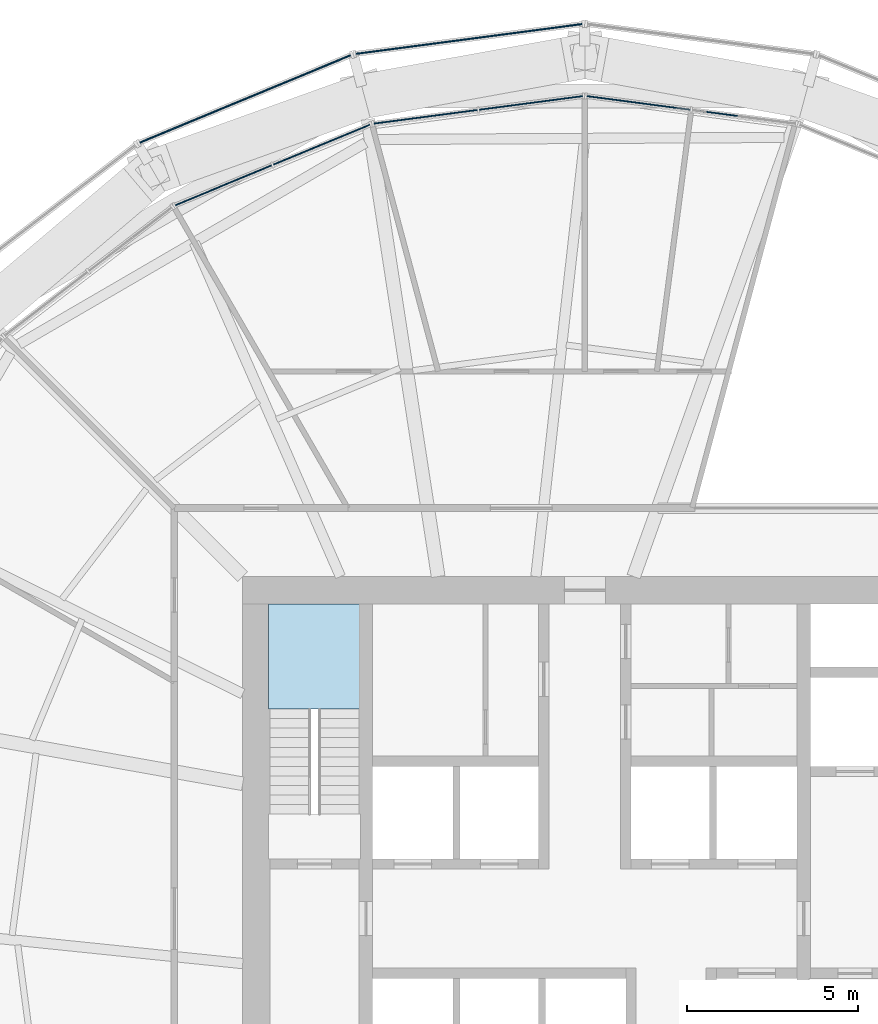
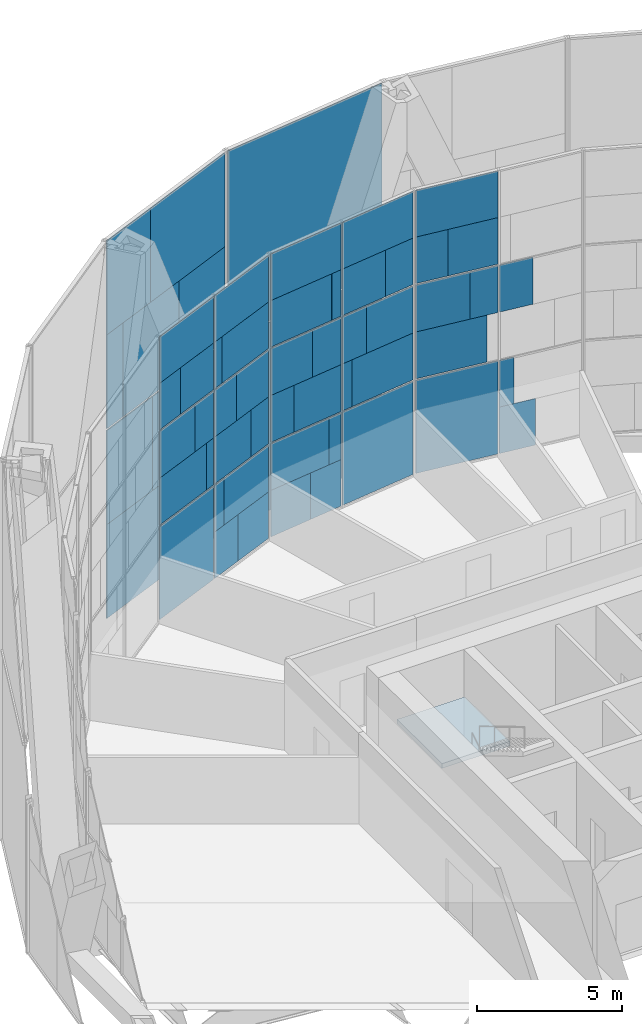
# One storey, part 20 of 26: 60 plates, 1 slab, 6 elements without a shape of their own.
"""IFC4 building model written with IfcOpenShell, lengths in metres."""

from ifc_helpers import new_model, si_unit, direction, frame, origin, origin_2d, place, context, subcontext, project, spatial, polyline, rectangle, outline, extrude, material, layer, layer_set, type_object, element, aggregate, save


model = new_model("IFC4")

# Units and contexts
model_context = context("Model", 3, precision=1e-05, world=origin(), true_north=direction((0.0, 1.0)))
body_context = subcontext(model_context, "Body", "Model", "MODEL_VIEW")
ifc_project = project(units=[si_unit("LENGTHUNIT", "METRE"), si_unit("AREAUNIT", "SQUARE_METRE"), si_unit("VOLUMEUNIT", "CUBIC_METRE"), si_unit("PLANEANGLEUNIT", "RADIAN"), si_unit("MASSUNIT", "GRAM", prefix="KILO")], contexts=[model_context])

# Site, building, storey
site_placement = place(None, origin())
site = spatial("IfcSite", under=ifc_project, at=site_placement, CompositionType="ELEMENT")
building_placement = place(site_placement, origin())
building = spatial("IfcBuilding", under=site, at=building_placement, Name="Golbaran Civic Tower", CompositionType="ELEMENT")
storey_placement = place(building_placement, frame((0.0, 0.0, 69.0)))
storey = spatial("IfcBuildingStorey", under=building, at=storey_placement, Name="L16", CompositionType="ELEMENT", Elevation=69.0)

# Curtain wall, plates
ifc_material_1 = material(Name="Aluminium and glass", Category="aluminium")
curtain_wall_type_1 = type_object("IfcCurtainWallType", Name="INNER SKIN CURTAIN WALL", PredefinedType="NOTDEFINED", material=ifc_material_1)
curtain_wall_1_placement = place(storey_placement, origin())
curtain_wall_1 = element("IfcCurtainWall", 1, at=curtain_wall_1_placement, inside=storey, type_object=curtain_wall_type_1, Name="Inner skin L16 facet 6 CW1", ObjectType="INNER SKIN", PredefinedType="USERDEFINED")
ifc_material_2 = material(Name="Clear insulating glass", Category="glass")
ifc_layer_1 = layer(ifc_material_2, 0.031982421875, Name="Clear insulating glass")
ifc_layer_set_1 = layer_set([ifc_layer_1], Name="Clear insulating glass")
plate_type_1 = type_object("IfcPlateType", Name="INNER SKIN CURTAIN WALL GLAZED PANEL", PredefinedType="CURTAIN_PANEL", material=ifc_layer_set_1)
plate_1_placement = place(storey_placement, frame((3.8037109375, 23.55224609375, 0.06494140625), z_axis=(0.0, 0.0, 1.0), x_axis=(-0.991444861381, 0.130526192168, 0.0)))
plate_1 = element("IfcPlate", 2, at=plate_1_placement, type_object=plate_type_1, Name="CW1 panel 1.1 part 2", PredefinedType="CURTAIN_PANEL", context=body_context, shape_type="SweptSolid", body=[
    extrude(rectangle(XDim=1.3291015625, YDim=0.031982421875, at=origin_2d()), origin(), (0.0, 0.0, 1.0), 1.951171875),
])
plate_2_placement = place(storey_placement, frame((3.408203125, 23.604248046875, 2.016357421875), z_axis=(0.0, 0.0, 1.0), x_axis=(-0.991444861381, 0.130526192168, 0.0)))
plate_2 = element("IfcPlate", 3, at=plate_2_placement, type_object=plate_type_1, Name="CW1 panel 1.1 part 4", PredefinedType="CURTAIN_PANEL", context=body_context, shape_type="SweptSolid", body=[
    extrude(rectangle(XDim=0.531005859375, YDim=0.031982421875, at=origin_2d()), origin(), (0.0, 0.0, 1.0), 1.951171875),
])
plate_3_placement = place(storey_placement, frame((1.572509765625, 23.845947265625, 0.06494140625), z_axis=(0.0, 0.0, 1.0), x_axis=(-0.991444861381, 0.130526192168, 0.0)))
plate_3 = element("IfcPlate", 4, at=plate_3_placement, type_object=plate_type_1, Name="CW1 panel 2.1", PredefinedType="CURTAIN_PANEL", context=body_context, shape_type="SweptSolid", body=[
    extrude(rectangle(XDim=3.0419921875, YDim=0.031982421875, at=origin_2d()), origin(), (0.0, 0.0, 1.0), 3.902587890625),
])
plate_4_placement = place(storey_placement, frame((1.373779296875, 23.8720703125, 4.03271484375), z_axis=(0.0, 0.0, 1.0), x_axis=(-0.991444861381, 0.130526192168, 0.0)))
plate_4 = element("IfcPlate", 5, at=plate_4_placement, type_object=plate_type_1, Name="CW1 panel 2.2 part 2", PredefinedType="CURTAIN_PANEL", context=body_context, shape_type="SweptSolid", body=[
    extrude(rectangle(XDim=2.64111328125, YDim=0.031982421875, at=origin_2d()), origin(), (0.0, 0.0, 1.0), 1.967529296875),
])
plate_5_placement = place(storey_placement, frame((1.057373046875, 23.913818359375, 6.0), z_axis=(0.0, 0.0, 1.0), x_axis=(-0.991444861381, 0.130526192168, 0.0)))
plate_5 = element("IfcPlate", 6, at=plate_5_placement, type_object=plate_type_1, Name="CW1 panel 2.2 part 4", PredefinedType="CURTAIN_PANEL", context=body_context, shape_type="SweptSolid", body=[
    extrude(rectangle(XDim=2.0029296875, YDim=0.031982421875, at=origin_2d()), origin(), (0.0, 0.0, 1.0), 1.967529296875),
])
plate_6_placement = place(storey_placement, frame((0.64892578125, 23.967529296875, 8.032470703125), z_axis=(0.0, 0.0, 1.0), x_axis=(-0.991444861381, 0.130526192168, 0.0)))
plate_6 = element("IfcPlate", 7, at=plate_6_placement, type_object=plate_type_1, Name="CW1 panel 2.3 part 2", PredefinedType="CURTAIN_PANEL", context=body_context, shape_type="SweptSolid", body=[
    extrude(rectangle(XDim=1.178955078125, YDim=0.031982421875, at=origin_2d()), origin(), (0.0, 0.0, 1.0), 1.951171875),
])

curtain_wall_2_placement = place(storey_placement, origin())
curtain_wall_2 = element("IfcCurtainWall", 8, at=curtain_wall_2_placement, inside=storey, type_object=curtain_wall_type_1, Name="Inner skin L16 facet 7 CW1", ObjectType="INNER SKIN", PredefinedType="USERDEFINED")
plate_7_placement = place(storey_placement, frame((-1.572509765625, 23.845947265625, 0.06494140625), z_axis=(0.0, 0.0, 1.0), x_axis=(-0.991444861381, -0.130526192168, 0.0)))
plate_7 = element("IfcPlate", 9, at=plate_7_placement, type_object=plate_type_1, Name="CW1 panel 1.1", PredefinedType="CURTAIN_PANEL", context=body_context, shape_type="SweptSolid", body=[
    extrude(rectangle(XDim=3.0419921875, YDim=0.031982421875, at=origin_2d()), origin(), (0.0, 0.0, 1.0), 3.902587890625),
])
plate_8_placement = place(storey_placement, frame((-1.37353515625, 23.8720703125, 4.03271484375), z_axis=(0.0, 0.0, 1.0), x_axis=(-0.991444861381, -0.130526192168, 0.0)))
plate_8 = element("IfcPlate", 10, at=plate_8_placement, type_object=plate_type_1, Name="CW1 panel 1.2 part 1", PredefinedType="CURTAIN_PANEL", context=body_context, shape_type="SweptSolid", body=[
    extrude(rectangle(XDim=2.64111328125, YDim=0.031982421875, at=origin_2d()), origin(), (0.0, 0.0, 1.0), 1.967529296875),
])
plate_9_placement = place(storey_placement, frame((-1.057373046875, 23.913818359375, 6.0), z_axis=(0.0, 0.0, 1.0), x_axis=(-0.991444861381, -0.130526192168, 0.0)))
plate_9 = element("IfcPlate", 11, at=plate_9_placement, type_object=plate_type_1, Name="CW1 panel 1.2 part 3", PredefinedType="CURTAIN_PANEL", context=body_context, shape_type="SweptSolid", body=[
    extrude(rectangle(XDim=2.0029296875, YDim=0.031982421875, at=origin_2d()), origin(), (0.0, 0.0, 1.0), 1.967529296875),
])
plate_10_placement = place(storey_placement, frame((-0.64892578125, 23.967529296875, 8.032470703125), z_axis=(0.0, 0.0, 1.0), x_axis=(-0.991444861381, -0.130526192168, 0.0)))
plate_10 = element("IfcPlate", 12, at=plate_10_placement, type_object=plate_type_1, Name="CW1 panel 1.3 part 1", PredefinedType="CURTAIN_PANEL", context=body_context, shape_type="SweptSolid", body=[
    extrude(rectangle(XDim=1.178955078125, YDim=0.031982421875, at=origin_2d()), origin(), (0.0, 0.0, 1.0), 1.951171875),
])
plate_11_placement = place(storey_placement, frame((-3.8037109375, 23.55224609375, 0.06494140625), z_axis=(0.0, 0.0, 1.0), x_axis=(-0.991444861381, -0.130526192168, 0.0)))
plate_11 = element("IfcPlate", 13, at=plate_11_placement, type_object=plate_type_1, Name="CW1 panel 2.1 part 1", PredefinedType="CURTAIN_PANEL", context=body_context, shape_type="SweptSolid", body=[
    extrude(rectangle(XDim=1.3291015625, YDim=0.031982421875, at=origin_2d()), origin(), (0.0, 0.0, 1.0), 1.951171875),
])
plate_12_placement = place(storey_placement, frame((-3.408203125, 23.604248046875, 2.016357421875), z_axis=(0.0, 0.0, 1.0), x_axis=(-0.991444861381, -0.130526192168, 0.0)))
plate_12 = element("IfcPlate", 14, at=plate_12_placement, type_object=plate_type_1, Name="CW1 panel 2.1 part 3", PredefinedType="CURTAIN_PANEL", context=body_context, shape_type="SweptSolid", body=[
    extrude(rectangle(XDim=0.531005859375, YDim=0.031982421875, at=origin_2d()), origin(), (0.0, 0.0, 1.0), 1.951171875),
])
plate_13_placement = place(storey_placement, frame((-5.669189453125, 23.306640625, 4.03271484375), z_axis=(0.0, 0.0, 1.0), x_axis=(-0.991444861381, -0.130526192168, 0.0)))
plate_13 = element("IfcPlate", 15, at=plate_13_placement, type_object=plate_type_1, Name="CW1 panel 2.2 part 2", PredefinedType="CURTAIN_PANEL", context=body_context, shape_type="SweptSolid", body=[
    extrude(rectangle(XDim=0.991943359375, YDim=0.031982421875, at=origin_2d()), origin(), (0.0, 0.0, 1.0), 1.967529296875),
])
plate_14_placement = place(storey_placement, frame((-5.26953125, 23.359130859375, 6.0), z_axis=(0.0, 0.0, 1.0), x_axis=(-0.991444861381, -0.130526192168, 0.0)))
plate_14 = element("IfcPlate", 16, at=plate_14_placement, type_object=plate_type_1, Name="CW1 panel 2.2 part 4", PredefinedType="CURTAIN_PANEL", context=body_context, shape_type="SweptSolid", body=[
    extrude(rectangle(XDim=1.798095703125, YDim=0.031982421875, at=origin_2d()), origin(), (0.0, 0.0, 1.0), 1.967529296875),
])
plate_15_placement = place(storey_placement, frame((-4.856689453125, 23.41357421875, 8.032470703125), z_axis=(0.0, 0.0, 1.0), x_axis=(-0.991444861381, -0.130526192168, 0.0)))
plate_15 = element("IfcPlate", 17, at=plate_15_placement, type_object=plate_type_1, Name="CW1 panel 2.3 part 2", PredefinedType="CURTAIN_PANEL", context=body_context, shape_type="SweptSolid", body=[
    extrude(rectangle(XDim=2.631103515625, YDim=0.031982421875, at=origin_2d()), origin(), (0.0, 0.0, 1.0), 1.951171875),
])
plate_16_placement = place(storey_placement, frame((-4.65283203125, 23.4404296875, 9.98388671875), z_axis=(0.0, 0.0, 1.0), x_axis=(-0.991444861381, -0.130526192168, 0.0)))
plate_16 = element("IfcPlate", 18, at=plate_16_placement, type_object=plate_type_1, Name="CW1 panel 2.3 part 3", PredefinedType="CURTAIN_PANEL", context=body_context, shape_type="SweptSolid", body=[
    extrude(rectangle(XDim=3.0419921875, YDim=0.031982421875, at=origin_2d()), origin(), (0.0, 0.0, 1.0), 1.951171875),
])

curtain_wall_3_placement = place(storey_placement, origin())
curtain_wall_3 = element("IfcCurtainWall", 19, at=curtain_wall_3_placement, inside=storey, type_object=curtain_wall_type_1, Name="Inner skin L16 facet 8 CW1", ObjectType="INNER SKIN", PredefinedType="USERDEFINED")
plate_17_placement = place(storey_placement, frame((-8.48193359375, 22.298583984375, 0.06494140625), z_axis=(0.0, 0.0, 1.0), x_axis=(-0.923879532478, -0.382683432446, 0.0)))
plate_17 = element("IfcPlate", 20, at=plate_17_placement, type_object=plate_type_1, Name="CW1 panel 1.1 part 2", PredefinedType="CURTAIN_PANEL", context=body_context, shape_type="SweptSolid", body=[
    extrude(rectangle(XDim=1.3291015625, YDim=0.031982421875, at=origin_2d()), origin(), (0.0, 0.0, 1.0), 1.951171875),
])
plate_18_placement = place(storey_placement, frame((-8.8505859375, 22.14599609375, 2.016357421875), z_axis=(0.0, 0.0, 1.0), x_axis=(-0.923879532478, -0.382683432446, 0.0)))
plate_18 = element("IfcPlate", 21, at=plate_18_placement, type_object=plate_type_1, Name="CW1 panel 1.1 part 4", PredefinedType="CURTAIN_PANEL", context=body_context, shape_type="SweptSolid", body=[
    extrude(rectangle(XDim=0.531005859375, YDim=0.031982421875, at=origin_2d()), origin(), (0.0, 0.0, 1.0), 1.951171875),
])
plate_19_placement = place(storey_placement, frame((-6.74365234375, 23.018798828125, 4.03271484375), z_axis=(0.0, 0.0, 1.0), x_axis=(-0.923879532478, -0.382683432446, 0.0)))
plate_19 = element("IfcPlate", 22, at=plate_19_placement, type_object=plate_type_1, Name="CW1 panel 1.2 part 1", PredefinedType="CURTAIN_PANEL", context=body_context, shape_type="SweptSolid", body=[
    extrude(rectangle(XDim=0.991943359375, YDim=0.031982421875, at=origin_2d()), origin(), (0.0, 0.0, 1.0), 1.967529296875),
])
plate_20_placement = place(storey_placement, frame((-7.116455078125, 22.8642578125, 6.0), z_axis=(0.0, 0.0, 1.0), x_axis=(-0.923879532478, -0.382683432446, 0.0)))
plate_20 = element("IfcPlate", 23, at=plate_20_placement, type_object=plate_type_1, Name="CW1 panel 1.2 part 3", PredefinedType="CURTAIN_PANEL", context=body_context, shape_type="SweptSolid", body=[
    extrude(rectangle(XDim=1.799072265625, YDim=0.031982421875, at=origin_2d()), origin(), (0.0, 0.0, 1.0), 1.967529296875),
])
plate_21_placement = place(storey_placement, frame((-7.500732421875, 22.705078125, 8.032470703125), z_axis=(0.0, 0.0, 1.0), x_axis=(-0.923879532478, -0.382683432446, 0.0)))
plate_21 = element("IfcPlate", 24, at=plate_21_placement, type_object=plate_type_1, Name="CW1 panel 1.3 part 1", PredefinedType="CURTAIN_PANEL", context=body_context, shape_type="SweptSolid", body=[
    extrude(rectangle(XDim=2.631103515625, YDim=0.031982421875, at=origin_2d()), origin(), (0.0, 0.0, 1.0), 1.951171875),
])
plate_22_placement = place(storey_placement, frame((-7.690673828125, 22.62646484375, 9.98388671875), z_axis=(0.0, 0.0, 1.0), x_axis=(-0.923879532478, -0.382683432446, 0.0)))
plate_22 = element("IfcPlate", 25, at=plate_22_placement, type_object=plate_type_1, Name="CW1 panel 1.3 part 3", PredefinedType="CURTAIN_PANEL", context=body_context, shape_type="SweptSolid", body=[
    extrude(rectangle(XDim=3.0419921875, YDim=0.031982421875, at=origin_2d()), origin(), (0.0, 0.0, 1.0), 1.951171875),
])
plate_23_placement = place(storey_placement, frame((-10.561279296875, 21.4375, 0.06494140625), z_axis=(0.0, 0.0, 1.0), x_axis=(-0.923879532478, -0.382683432446, 0.0)))
plate_23 = element("IfcPlate", 26, at=plate_23_placement, type_object=plate_type_1, Name="CW1 panel 2.1", PredefinedType="CURTAIN_PANEL", context=body_context, shape_type="SweptSolid", body=[
    extrude(rectangle(XDim=3.0419921875, YDim=0.031982421875, at=origin_2d()), origin(), (0.0, 0.0, 1.0), 3.902587890625),
])
plate_24_placement = place(storey_placement, frame((-10.746337890625, 21.36083984375, 4.03271484375), z_axis=(0.0, 0.0, 1.0), x_axis=(-0.923879532478, -0.382683432446, 0.0)))
plate_24 = element("IfcPlate", 27, at=plate_24_placement, type_object=plate_type_1, Name="CW1 panel 2.2 part 2", PredefinedType="CURTAIN_PANEL", context=body_context, shape_type="SweptSolid", body=[
    extrude(rectangle(XDim=2.64111328125, YDim=0.031982421875, at=origin_2d()), origin(), (0.0, 0.0, 1.0), 1.967529296875),
])
plate_25_placement = place(storey_placement, frame((-11.041259765625, 21.23876953125, 6.0), z_axis=(0.0, 0.0, 1.0), x_axis=(-0.923879532478, -0.382683432446, 0.0)))
plate_25 = element("IfcPlate", 28, at=plate_25_placement, type_object=plate_type_1, Name="CW1 panel 2.2 part 4", PredefinedType="CURTAIN_PANEL", context=body_context, shape_type="SweptSolid", body=[
    extrude(rectangle(XDim=2.0029296875, YDim=0.031982421875, at=origin_2d()), origin(), (0.0, 0.0, 1.0), 1.967529296875),
])
plate_26_placement = place(storey_placement, frame((-11.421875, 21.0810546875, 8.032470703125), z_axis=(0.0, 0.0, 1.0), x_axis=(-0.923879532478, -0.382683432446, 0.0)))
plate_26 = element("IfcPlate", 29, at=plate_26_placement, type_object=plate_type_1, Name="CW1 panel 2.3 part 2", PredefinedType="CURTAIN_PANEL", context=body_context, shape_type="SweptSolid", body=[
    extrude(rectangle(XDim=1.178955078125, YDim=0.031982421875, at=origin_2d()), origin(), (0.0, 0.0, 1.0), 1.951171875),
])

# Plate
ifc_material_3 = material(Name="Aluminium faced opaque infill panel", Category="aluminium")
ifc_layer_2 = layer(ifc_material_3, 0.031982421875, Name="Aluminium faced opaque infill panel")
ifc_layer_set_2 = layer_set([ifc_layer_2], Name="Aluminium faced opaque infill panel")
plate_type_2 = type_object("IfcPlateType", Name="INNER SKIN CURTAIN WALL OPAQUE INFILL PANEL", PredefinedType="CURTAIN_PANEL", material=ifc_layer_set_2)
plate_27_placement = place(storey_placement, frame((3.76123046875, 23.557861328125, 6.0), z_axis=(0.0, 0.0, 1.0), x_axis=(-0.991444861381, 0.130526192168, 0.0)))
plate_27 = element("IfcPlate", 30, at=plate_27_placement, type_object=plate_type_2, Name="CW1 infill panel 1.2 part 4", PredefinedType="CURTAIN_PANEL", context=body_context, shape_type="SweptSolid", body=[
    extrude(rectangle(XDim=1.2431640625, YDim=0.031982421875, at=origin_2d()), origin(), (0.0, 0.0, 1.0), 1.967529296875),
])

plate_28_placement = place(storey_placement, frame((2.5654296875, 23.71533203125, 6.0), z_axis=(0.0, 0.0, 1.0), x_axis=(-0.991444861381, 0.130526192168, 0.0)))
plate_28 = element("IfcPlate", 31, at=plate_28_placement, type_object=plate_type_2, Name="CW1 infill panel 2.2 part 3", PredefinedType="CURTAIN_PANEL", context=body_context, shape_type="SweptSolid", body=[
    extrude(rectangle(XDim=1.0390625, YDim=0.031982421875, at=origin_2d()), origin(), (0.0, 0.0, 1.0), 1.967529296875),
])

plate_29_placement = place(storey_placement, frame((2.156982421875, 23.76904296875, 8.032470703125), z_axis=(0.0, 0.0, 1.0), x_axis=(-0.991444861381, 0.130526192168, 0.0)))
plate_29 = element("IfcPlate", 32, at=plate_29_placement, type_object=plate_type_2, Name="CW1 infill panel 2.3 part 1", PredefinedType="CURTAIN_PANEL", context=body_context, shape_type="SweptSolid", body=[
    extrude(rectangle(XDim=1.863037109375, YDim=0.031982421875, at=origin_2d()), origin(), (0.0, 0.0, 1.0), 1.951171875),
])

plate_30_placement = place(storey_placement, frame((1.572509765625, 23.845947265625, 9.98388671875), z_axis=(0.0, 0.0, 1.0), x_axis=(-0.991444861381, 0.130526192168, 0.0)))
plate_30 = element("IfcPlate", 33, at=plate_30_placement, type_object=plate_type_2, Name="CW1 infill panel 2.3 part 3", PredefinedType="CURTAIN_PANEL", context=body_context, shape_type="SweptSolid", body=[
    extrude(rectangle(XDim=3.0419921875, YDim=0.031982421875, at=origin_2d()), origin(), (0.0, 0.0, 1.0), 1.951171875),
])

aggregate(curtain_wall_1, [plate_1, plate_2, plate_27, plate_3, plate_4, plate_28, plate_5, plate_29, plate_6, plate_30])

plate_31_placement = place(storey_placement, frame((-2.881591796875, 23.673583984375, 4.03271484375), z_axis=(0.0, 0.0, 1.0), x_axis=(-0.991444861381, -0.130526192168, 0.0)))
plate_31 = element("IfcPlate", 34, at=plate_31_placement, type_object=plate_type_2, Name="CW1 infill panel 1.2 part 2", PredefinedType="CURTAIN_PANEL", context=body_context, shape_type="SweptSolid", body=[
    extrude(rectangle(XDim=0.401123046875, YDim=0.031982421875, at=origin_2d()), origin(), (0.0, 0.0, 1.0), 1.967529296875),
])

plate_32_placement = place(storey_placement, frame((-2.5654296875, 23.71533203125, 6.0), z_axis=(0.0, 0.0, 1.0), x_axis=(-0.991444861381, -0.130526192168, 0.0)))
plate_32 = element("IfcPlate", 35, at=plate_32_placement, type_object=plate_type_2, Name="CW1 infill panel 1.2 part 4", PredefinedType="CURTAIN_PANEL", context=body_context, shape_type="SweptSolid", body=[
    extrude(rectangle(XDim=1.0390625, YDim=0.031982421875, at=origin_2d()), origin(), (0.0, 0.0, 1.0), 1.967529296875),
])

plate_33_placement = place(storey_placement, frame((-2.156982421875, 23.76904296875, 8.032470703125), z_axis=(0.0, 0.0, 1.0), x_axis=(-0.991444861381, -0.130526192168, 0.0)))
plate_33 = element("IfcPlate", 36, at=plate_33_placement, type_object=plate_type_2, Name="CW1 infill panel 1.3 part 2", PredefinedType="CURTAIN_PANEL", context=body_context, shape_type="SweptSolid", body=[
    extrude(rectangle(XDim=1.863037109375, YDim=0.031982421875, at=origin_2d()), origin(), (0.0, 0.0, 1.0), 1.951171875),
])

plate_34_placement = place(storey_placement, frame((-1.572509765625, 23.845947265625, 9.98388671875), z_axis=(0.0, 0.0, 1.0), x_axis=(-0.991444861381, -0.130526192168, 0.0)))
plate_34 = element("IfcPlate", 37, at=plate_34_placement, type_object=plate_type_2, Name="CW1 infill panel 1.3 part 3", PredefinedType="CURTAIN_PANEL", context=body_context, shape_type="SweptSolid", body=[
    extrude(rectangle(XDim=3.0419921875, YDim=0.031982421875, at=origin_2d()), origin(), (0.0, 0.0, 1.0), 1.951171875),
])

plate_35_placement = place(storey_placement, frame((-5.311767578125, 23.353759765625, 0.06494140625), z_axis=(0.0, 0.0, 1.0), x_axis=(-0.991444861381, -0.130526192168, 0.0)))
plate_35 = element("IfcPlate", 38, at=plate_35_placement, type_object=plate_type_2, Name="CW1 infill panel 2.1 part 2", PredefinedType="CURTAIN_PANEL", context=body_context, shape_type="SweptSolid", body=[
    extrude(rectangle(XDim=1.713134765625, YDim=0.031982421875, at=origin_2d()), origin(), (0.0, 0.0, 1.0), 1.951171875),
])

plate_36_placement = place(storey_placement, frame((-4.916259765625, 23.40576171875, 2.016357421875), z_axis=(0.0, 0.0, 1.0), x_axis=(-0.991444861381, -0.130526192168, 0.0)))
plate_36 = element("IfcPlate", 39, at=plate_36_placement, type_object=plate_type_2, Name="CW1 infill panel 2.1 part 4", PredefinedType="CURTAIN_PANEL", context=body_context, shape_type="SweptSolid", body=[
    extrude(rectangle(XDim=2.510986328125, YDim=0.031982421875, at=origin_2d()), origin(), (0.0, 0.0, 1.0), 1.951171875),
])

plate_37_placement = place(storey_placement, frame((-4.1611328125, 23.505126953125, 4.03271484375), z_axis=(0.0, 0.0, 1.0), x_axis=(-0.991444861381, -0.130526192168, 0.0)))
plate_37 = element("IfcPlate", 40, at=plate_37_placement, type_object=plate_type_2, Name="CW1 infill panel 2.2 part 1", PredefinedType="CURTAIN_PANEL", context=body_context, shape_type="SweptSolid", body=[
    extrude(rectangle(XDim=2.050048828125, YDim=0.031982421875, at=origin_2d()), origin(), (0.0, 0.0, 1.0), 1.967529296875),
])

plate_38_placement = place(storey_placement, frame((-3.761474609375, 23.557861328125, 6.0), z_axis=(0.0, 0.0, 1.0), x_axis=(-0.991444861381, -0.130526192168, 0.0)))
plate_38 = element("IfcPlate", 41, at=plate_38_placement, type_object=plate_type_2, Name="CW1 infill panel 2.2 part 3", PredefinedType="CURTAIN_PANEL", context=body_context, shape_type="SweptSolid", body=[
    extrude(rectangle(XDim=1.243896484375, YDim=0.031982421875, at=origin_2d()), origin(), (0.0, 0.0, 1.0), 1.967529296875),
])

plate_39_placement = place(storey_placement, frame((-3.3486328125, 23.612060546875, 8.032470703125), z_axis=(0.0, 0.0, 1.0), x_axis=(-0.991444861381, -0.130526192168, 0.0)))
plate_39 = element("IfcPlate", 42, at=plate_39_placement, type_object=plate_type_2, Name="CW1 infill panel 2.3 part 1", PredefinedType="CURTAIN_PANEL", context=body_context, shape_type="SweptSolid", body=[
    extrude(rectangle(XDim=0.410888671875, YDim=0.031982421875, at=origin_2d()), origin(), (0.0, 0.0, 1.0), 1.951171875),
])

aggregate(curtain_wall_2, [plate_7, plate_8, plate_31, plate_9, plate_32, plate_10, plate_33, plate_34, plate_11, plate_35, plate_12, plate_36, plate_37, plate_13, plate_38, plate_14, plate_39, plate_15, plate_16])

plate_40_placement = place(storey_placement, frame((-7.07666015625, 22.880859375, 0.06494140625), z_axis=(0.0, 0.0, 1.0), x_axis=(-0.923879532478, -0.382683432446, 0.0)))
plate_40 = element("IfcPlate", 43, at=plate_40_placement, type_object=plate_type_2, Name="CW1 infill panel 1.1 part 1", PredefinedType="CURTAIN_PANEL", context=body_context, shape_type="SweptSolid", body=[
    extrude(rectangle(XDim=1.712890625, YDim=0.031982421875, at=origin_2d()), origin(), (0.0, 0.0, 1.0), 1.951171875),
])

plate_41_placement = place(storey_placement, frame((-7.4453125, 22.72802734375, 2.016357421875), z_axis=(0.0, 0.0, 1.0), x_axis=(-0.923879532478, -0.382683432446, 0.0)))
plate_41 = element("IfcPlate", 44, at=plate_41_placement, type_object=plate_type_2, Name="CW1 infill panel 1.1 part 3", PredefinedType="CURTAIN_PANEL", context=body_context, shape_type="SweptSolid", body=[
    extrude(rectangle(XDim=2.510986328125, YDim=0.031982421875, at=origin_2d()), origin(), (0.0, 0.0, 1.0), 1.951171875),
])

plate_42_placement = place(storey_placement, frame((-8.14892578125, 22.436767578125, 4.03271484375), z_axis=(0.0, 0.0, 1.0), x_axis=(-0.923879532478, -0.382683432446, 0.0)))
plate_42 = element("IfcPlate", 45, at=plate_42_placement, type_object=plate_type_2, Name="CW1 infill panel 1.2 part 2", PredefinedType="CURTAIN_PANEL", context=body_context, shape_type="SweptSolid", body=[
    extrude(rectangle(XDim=2.050048828125, YDim=0.031982421875, at=origin_2d()), origin(), (0.0, 0.0, 1.0), 1.967529296875),
])

plate_43_placement = place(storey_placement, frame((-8.521728515625, 22.2822265625, 6.0), z_axis=(0.0, 0.0, 1.0), x_axis=(-0.923879532478, -0.382683432446, 0.0)))
plate_43 = element("IfcPlate", 46, at=plate_43_placement, type_object=plate_type_2, Name="CW1 infill panel 1.2 part 4", PredefinedType="CURTAIN_PANEL", context=body_context, shape_type="SweptSolid", body=[
    extrude(rectangle(XDim=1.2431640625, YDim=0.031982421875, at=origin_2d()), origin(), (0.0, 0.0, 1.0), 1.967529296875),
])

plate_44_placement = place(storey_placement, frame((-8.906005859375, 22.123046875, 8.032470703125), z_axis=(0.0, 0.0, 1.0), x_axis=(-0.923879532478, -0.382683432446, 0.0)))
plate_44 = element("IfcPlate", 47, at=plate_44_placement, type_object=plate_type_2, Name="CW1 infill panel 1.3 part 2", PredefinedType="CURTAIN_PANEL", context=body_context, shape_type="SweptSolid", body=[
    extrude(rectangle(XDim=0.4111328125, YDim=0.031982421875, at=origin_2d()), origin(), (0.0, 0.0, 1.0), 1.951171875),
])

plate_45_placement = place(storey_placement, frame((-9.34130859375, 21.94287109375, 4.03271484375), z_axis=(0.0, 0.0, 1.0), x_axis=(-0.923879532478, -0.382683432446, 0.0)))
plate_45 = element("IfcPlate", 48, at=plate_45_placement, type_object=plate_type_2, Name="CW1 infill panel 2.2 part 1", PredefinedType="CURTAIN_PANEL", context=body_context, shape_type="SweptSolid", body=[
    extrude(rectangle(XDim=0.40087890625, YDim=0.031982421875, at=origin_2d()), origin(), (0.0, 0.0, 1.0), 1.967529296875),
])

plate_46_placement = place(storey_placement, frame((-9.635986328125, 21.82080078125, 6.0), z_axis=(0.0, 0.0, 1.0), x_axis=(-0.923879532478, -0.382683432446, 0.0)))
plate_46 = element("IfcPlate", 49, at=plate_46_placement, type_object=plate_type_2, Name="CW1 infill panel 2.2 part 3", PredefinedType="CURTAIN_PANEL", context=body_context, shape_type="SweptSolid", body=[
    extrude(rectangle(XDim=1.0390625, YDim=0.031982421875, at=origin_2d()), origin(), (0.0, 0.0, 1.0), 1.967529296875),
])

plate_47_placement = place(storey_placement, frame((-10.0166015625, 21.6630859375, 8.032470703125), z_axis=(0.0, 0.0, 1.0), x_axis=(-0.923879532478, -0.382683432446, 0.0)))
plate_47 = element("IfcPlate", 50, at=plate_47_placement, type_object=plate_type_2, Name="CW1 infill panel 2.3 part 1", PredefinedType="CURTAIN_PANEL", context=body_context, shape_type="SweptSolid", body=[
    extrude(rectangle(XDim=1.863037109375, YDim=0.031982421875, at=origin_2d()), origin(), (0.0, 0.0, 1.0), 1.951171875),
])

plate_48_placement = place(storey_placement, frame((-10.561279296875, 21.4375, 9.98388671875), z_axis=(0.0, 0.0, 1.0), x_axis=(-0.923879532478, -0.382683432446, 0.0)))
plate_48 = element("IfcPlate", 51, at=plate_48_placement, type_object=plate_type_2, Name="CW1 infill panel 2.3 part 3", PredefinedType="CURTAIN_PANEL", context=body_context, shape_type="SweptSolid", body=[
    extrude(rectangle(XDim=3.0419921875, YDim=0.031982421875, at=origin_2d()), origin(), (0.0, 0.0, 1.0), 1.951171875),
])

aggregate(curtain_wall_3, [plate_40, plate_17, plate_41, plate_18, plate_19, plate_42, plate_20, plate_43, plate_21, plate_44, plate_22, plate_23, plate_45, plate_24, plate_46, plate_25, plate_47, plate_26, plate_48])

# Curtain wall, plates
curtain_wall_type_2 = type_object("IfcCurtainWallType", Name="OUTER SKIN TERRACOTTA SCREEN", PredefinedType="NOTDEFINED", material=ifc_material_1)
curtain_wall_4_placement = place(storey_placement, origin())
curtain_wall_4 = element("IfcCurtainWall", 52, at=curtain_wall_4_placement, inside=storey, type_object=curtain_wall_type_2, Name="Outer skin L16 facet 8 CW3", ObjectType="OUTER SKIN", PredefinedType="USERDEFINED")
ifc_material_4 = material(Name="Clear laminated glass", Category="glass")
ifc_layer_3 = layer(ifc_material_4, 0.0400390625, Name="Clear laminated glass")
ifc_layer_set_3 = layer_set([ifc_layer_3], Name="Clear laminated glass")
plate_type_3 = type_object("IfcPlateType", Name="OUTER SKIN CLEAR GLASS PANEL", PredefinedType="CURTAIN_PANEL", material=ifc_layer_set_3)
plate_49_placement = place(storey_placement, frame((-11.074951171875, 23.48681640625, -0.6298828125), z_axis=(0.0, 0.0, 1.0), x_axis=(-0.923879532465, -0.382683432478, 0.0)))
plate_49 = element("IfcPlate", 53, at=plate_49_placement, type_object=plate_type_3, Name="CW3 panel 1.1 part 2", PredefinedType="CURTAIN_PANEL", context=body_context, shape_type="SweptSolid", body=[
    extrude(rectangle(XDim=4.181396484375, YDim=0.0400390625, at=origin_2d()), origin(), (0.0, 0.0, 1.0), 3.93994140625),
])
plate_50_placement = place(storey_placement, frame((-7.2861328125, 25.05615234375, 3.31005859375), z_axis=(0.0, 0.0, 1.0), x_axis=(-0.923879532465, -0.382683432478, 0.0)))
plate_50 = element("IfcPlate", 54, at=plate_50_placement, type_object=plate_type_3, Name="CW3 panel 1.1 part 3", PredefinedType="CURTAIN_PANEL", context=body_context, shape_type="SweptSolid", body=[
    extrude(rectangle(XDim=0.955078125, YDim=0.0400390625, at=origin_2d()), origin(), (0.0, 0.0, 1.0), 3.93994140625),
])
plate_51_placement = place(storey_placement, frame((-11.820556640625, 23.177978515625, 3.31005859375), z_axis=(0.0, 0.0, 1.0), x_axis=(-0.923879532465, -0.382683432478, 0.0)))
plate_51 = element("IfcPlate", 55, at=plate_51_placement, type_object=plate_type_3, Name="CW3 panel 1.1 part 5", PredefinedType="CURTAIN_PANEL", context=body_context, shape_type="SweptSolid", body=[
    extrude(rectangle(XDim=2.5673828125, YDim=0.0400390625, at=origin_2d()), origin(), (0.0, 0.0, 1.0), 3.93994140625),
])
plate_52_placement = place(storey_placement, frame((-8.044921875, 24.741943359375, 7.330078125), z_axis=(0.0, 0.0, 1.0), x_axis=(-0.923879532465, -0.382683432478, 0.0)))
plate_52 = element("IfcPlate", 56, at=plate_52_placement, type_object=plate_type_3, Name="CW3 panel 1.2 part 1", PredefinedType="CURTAIN_PANEL", context=body_context, shape_type="SweptSolid", body=[
    extrude(rectangle(XDim=2.597900390625, YDim=0.0400390625, at=origin_2d()), origin(), (0.0, 0.0, 1.0), 3.93994140625),
])
plate_53_placement = place(storey_placement, frame((-12.58154296875, 22.86279296875, 7.330078125), z_axis=(0.0, 0.0, 1.0), x_axis=(-0.923879532465, -0.382683432478, 0.0)))
plate_53 = element("IfcPlate", 57, at=plate_53_placement, type_object=plate_type_3, Name="CW3 panel 1.2 part 3", PredefinedType="CURTAIN_PANEL", context=body_context, shape_type="SweptSolid", body=[
    extrude(rectangle(XDim=0.92041015625, YDim=0.0400390625, at=origin_2d()), origin(), (0.0, 0.0, 1.0), 3.93994140625),
])
plate_54_placement = place(storey_placement, frame((-8.7890625, 24.43359375, 11.27001953125), z_axis=(0.0, 0.0, 1.0), x_axis=(-0.923879532465, -0.382683432478, 0.0)))
plate_54 = element("IfcPlate", 58, at=plate_54_placement, type_object=plate_type_3, Name="CW3 panel 1.2 part 4", PredefinedType="CURTAIN_PANEL", context=body_context, shape_type="SweptSolid", body=[
    extrude(rectangle(XDim=4.208984375, YDim=0.0400390625, at=origin_2d()), origin(), (0.0, 0.0, 1.0), 3.93994140625),
])
ifc_material_5 = material(Name="Terracotta baguette screen", Category="masonry")
ifc_layer_4 = layer(ifc_material_5, 0.0400390625, Name="Terracotta baguette screen")
ifc_layer_set_4 = layer_set([ifc_layer_4], Name="Terracotta baguette screen")
plate_type_4 = type_object("IfcPlateType", Name="OUTER SKIN TERRACOTTA INFILL PANEL", PredefinedType="CURTAIN_PANEL", material=ifc_layer_set_4)
plate_55_placement = place(storey_placement, frame((-7.994140625, 24.762939453125, -0.6298828125), z_axis=(0.0, 0.0, 1.0), x_axis=(-0.923879532465, -0.382683432478, 0.0)))
plate_55 = element("IfcPlate", 59, at=plate_55_placement, type_object=plate_type_4, Name="CW3 infill panel 1.1 part 1", PredefinedType="CURTAIN_PANEL", context=body_context, shape_type="SweptSolid", body=[
    extrude(rectangle(XDim=2.488037109375, YDim=0.0400390625, at=origin_2d()), origin(), (0.0, 0.0, 1.0), 3.93994140625),
])
plate_56_placement = place(storey_placement, frame((-9.180908203125, 24.271240234375, 3.31005859375), z_axis=(0.0, 0.0, 1.0), x_axis=(-0.923879532465, -0.382683432478, 0.0)))
plate_56 = element("IfcPlate", 60, at=plate_56_placement, type_object=plate_type_4, Name="CW3 infill panel 1.1 part 4", PredefinedType="CURTAIN_PANEL", context=body_context, shape_type="SweptSolid", body=[
    extrude(rectangle(XDim=3.14697265625, YDim=0.0400390625, at=origin_2d()), origin(), (0.0, 0.0, 1.0), 3.93994140625),
])
plate_57_placement = place(storey_placement, frame((-10.70068359375, 23.641845703125, 7.330078125), z_axis=(0.0, 0.0, 1.0), x_axis=(-0.923879532465, -0.382683432478, 0.0)))
plate_57 = element("IfcPlate", 61, at=plate_57_placement, type_object=plate_type_4, Name="CW3 infill panel 1.2 part 2", PredefinedType="CURTAIN_PANEL", context=body_context, shape_type="SweptSolid", body=[
    extrude(rectangle(XDim=3.15087890625, YDim=0.0400390625, at=origin_2d()), origin(), (0.0, 0.0, 1.0), 3.93994140625),
])
plate_58_placement = place(storey_placement, frame((-11.8701171875, 23.157470703125, 11.27001953125), z_axis=(0.0, 0.0, 1.0), x_axis=(-0.923879532465, -0.382683432478, 0.0)))
plate_58 = element("IfcPlate", 62, at=plate_58_placement, type_object=plate_type_4, Name="CW3 infill panel 1.2 part 5", PredefinedType="CURTAIN_PANEL", context=body_context, shape_type="SweptSolid", body=[
    extrude(rectangle(XDim=2.46044921875, YDim=0.0400390625, at=origin_2d()), origin(), (0.0, 0.0, 1.0), 3.93994140625),
])
aggregate(curtain_wall_4, [plate_55, plate_49, plate_50, plate_56, plate_51, plate_52, plate_57, plate_53, plate_54, plate_58])

curtain_wall_5_placement = place(storey_placement, origin())
curtain_wall_5 = element("IfcCurtainWall", 63, at=curtain_wall_5_placement, inside=storey, type_object=curtain_wall_type_2, Name="Outer skin L16 facet 7 CW3", ObjectType="OUTER SKIN", PredefinedType="USERDEFINED")
ifc_layer_5 = layer(ifc_material_5, 0.0400390625, Name="Terracotta baguette screen")
ifc_layer_set_5 = layer_set([ifc_layer_5], Name="Terracotta baguette screen")
plate_type_5 = type_object("IfcPlateType", Name="OUTER SKIN TERRACOTTA SCREEN PANEL", PredefinedType="CURTAIN_PANEL", material=ifc_layer_set_5)
plate_59_placement = place(storey_placement, frame((-3.385498046875, 25.71533203125, -0.6298828125), z_axis=(0.0, 0.0, 1.0), x_axis=(-0.991444861383, -0.130526192151, 0.0)))
plate_59 = element("IfcPlate", 64, at=plate_59_placement, type_object=plate_type_5, Name="CW3 terracotta screen panel 1.1", PredefinedType="CURTAIN_PANEL", context=body_context, shape_type="SweptSolid", body=[
    extrude(rectangle(XDim=6.66943359375, YDim=0.0400390625, at=origin_2d()), origin(), (0.0, 0.0, 1.0), 7.8798828125),
])
plate_60_placement = place(storey_placement, frame((-3.385498046875, 25.71533203125, 7.330078125), z_axis=(0.0, 0.0, 1.0), x_axis=(-0.991444861383, -0.130526192151, 0.0)))
plate_60 = element("IfcPlate", 65, at=plate_60_placement, type_object=plate_type_5, Name="CW3 terracotta screen panel 1.2", PredefinedType="CURTAIN_PANEL", context=body_context, shape_type="SweptSolid", body=[
    extrude(rectangle(XDim=6.66943359375, YDim=0.0400390625, at=origin_2d()), origin(), (0.0, 0.0, 1.0), 7.8798828125),
])
aggregate(curtain_wall_5, [plate_59, plate_60])

# Stair, slab
ifc_material_6 = material(Name="Concrete C35/45", Category="concrete")
stair_type = type_object("IfcStairType", Name="EXIT STAIR 2600 x 7450, 4000 RISE", PredefinedType="HALF_TURN_STAIR", material=ifc_material_6)
stair_placement = place(storey_placement, origin())
stair = element("IfcStair", 66, at=stair_placement, inside=storey, type_object=stair_type, Name="Stair S1 L16", PredefinedType="HALF_TURN_STAIR")
ifc_layer_6 = layer(ifc_material_6, 0.199951171875, Name="Concrete C35/45")
ifc_layer_set_6 = layer_set([ifc_layer_6], Name="Concrete C35/45")
slab_type = type_object("IfcSlabType", Name="STAIR LANDING 200", PredefinedType="LANDING", material=ifc_layer_set_6)
slab_placement = place(storey_placement, frame((0.0, 0.0, 1.800048828125)))
slab = element("IfcSlab", 67, at=slab_placement, type_object=slab_type, Name="ST26074-40 landing 1", PredefinedType="LANDING", context=body_context, shape_type="SweptSolid", body=[
    extrude(outline(polyline([(-9.25, 6.125), (-9.25, 9.199951171875), (-6.550048828125, 9.199951171875), (-6.550048828125, 6.125), (-9.25, 6.125)])), origin(), (0.0, 0.0, 1.0), 0.199951171875),
])
aggregate(stair, [slab])

save(model, "model.ifc")
